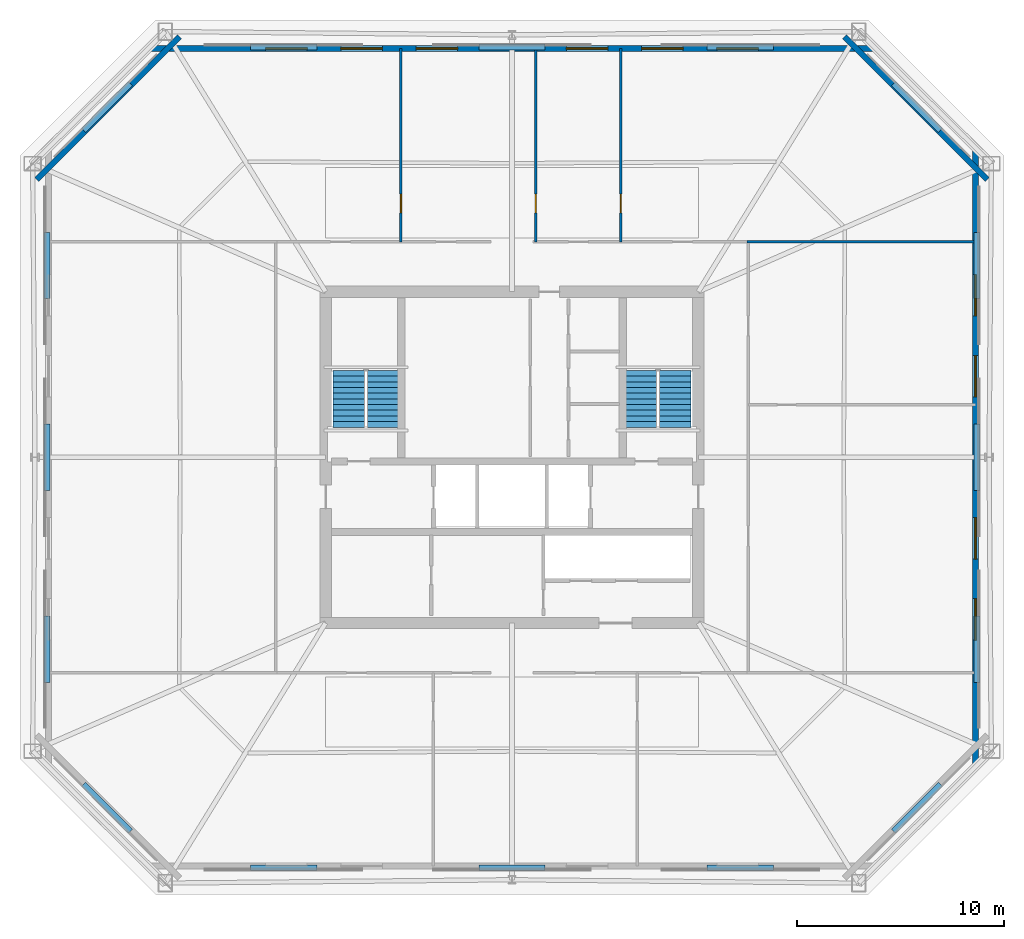
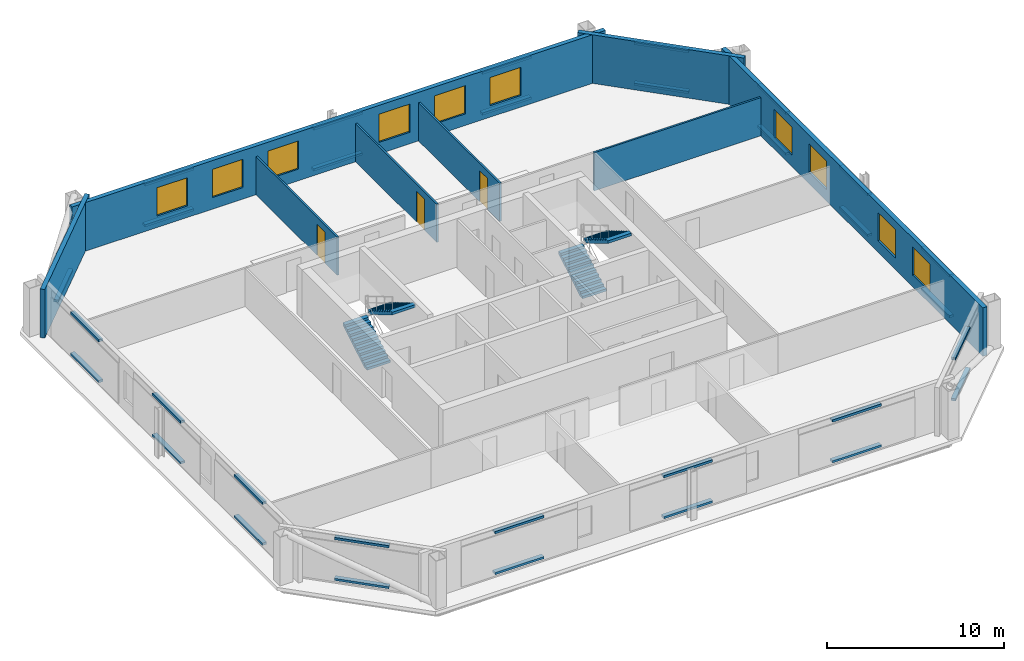
# One storey, part 4 of 6: 32 discrete accessories, 10 windows, 8 walls, 4 stair flights, 3 doors, 13 openings, 2 elements without a shape of their own.
"""IFC4 building model written with IfcOpenShell, lengths in metres."""

from ifc_helpers import new_model, si_unit, direction, frame, frame_2d, origin, origin_2d, place, context, subcontext, project, spatial, polyline, rectangle, outline, extrude, material, layer, layer_set, type_object, element, fill, aggregate, save


model = new_model("IFC4")

# Units and contexts
model_context = context("Model", 3, precision=1e-05, world=origin(), true_north=direction((0.0, 1.0)))
body_context = subcontext(model_context, "Body", "Model", "MODEL_VIEW")
ifc_project = project(units=[si_unit("LENGTHUNIT", "METRE"), si_unit("AREAUNIT", "SQUARE_METRE"), si_unit("VOLUMEUNIT", "CUBIC_METRE"), si_unit("PLANEANGLEUNIT", "RADIAN"), si_unit("MASSUNIT", "GRAM", prefix="KILO")], contexts=[model_context])

# Site, building, storey
site_placement = place(None, origin())
site = spatial("IfcSite", under=ifc_project, at=site_placement, CompositionType="ELEMENT")
building_placement = place(site_placement, origin())
building = spatial("IfcBuilding", under=site, at=building_placement, Name="Caelvoria Tower", CompositionType="ELEMENT")
storey_placement = place(building_placement, frame((0.0, 0.0, 180.60009765625)))
storey = spatial("IfcBuildingStorey", under=building, at=storey_placement, Name="L47", CompositionType="ELEMENT", Elevation=180.60009765625)

# Wall, openings, windows
ifc_material_1 = material(Name="Precast Concrete C40/50 with Bronze Cladding", Category="concrete")
ifc_layer_1 = layer(ifc_material_1, 0.280029296875, Name="Precast Concrete C40/50 with Bronze Cladding")
ifc_layer_set_1 = layer_set([ifc_layer_1], Name="Exterior Precast Concrete C40/50 Bronze-Clad Facade Wall 280 - Precast Concrete C40/50 with Bronze Cladding")
wall_type_1 = type_object("IfcWallType", Name="Exterior Precast Concrete C40/50 Bronze-Clad Facade Wall 280", PredefinedType="STANDARD", material=ifc_layer_set_1)
wall_1_placement = place(storey_placement, frame((68.3798828125, 17.199951171875, 0.0), z_axis=(0.0, 0.0, 1.0), x_axis=(0.0, 1.0, 0.0)))
wall_1 = element("IfcWall", 1, at=wall_1_placement, inside=storey, type_object=wall_type_1, Name="Exterior Facade Wall L47-E2", PredefinedType="STANDARD", context=body_context, shape_type="SweptSolid", body=[
    extrude(rectangle(XDim=29.60009765625, YDim=0.280029296875, at=frame_2d((14.800048828125, 0.0))), origin(), (0.0, 0.0, 1.0), 3.35986328125),
])
opening_1_placement = place(wall_1_placement, frame((5.971435546875, 0.0, 0.800048828125)))
opening_1 = element("IfcOpeningElement", 2, at=opening_1_placement, cuts=wall_1, Name="Opening WN-01", PredefinedType="OPENING", context=body_context, shape_type="SweptSolid", body=[
    extrude(rectangle(XDim=2.0, YDim=1.949951171875, at=frame_2d((1.0, 0.97509765625))), frame((0.0, 0.14990234375, 0.0), z_axis=(0.0, -1.0, 0.0), x_axis=(1.0, 0.0, 0.0)), (0.0, 0.0, 1.0), 0.300048828125),
])
opening_2_placement = place(wall_1_placement, frame((9.8857421875, 0.0, 0.800048828125)))
opening_2 = element("IfcOpeningElement", 3, at=opening_2_placement, cuts=wall_1, Name="Opening WN-01", PredefinedType="OPENING", context=body_context, shape_type="SweptSolid", body=[
    extrude(rectangle(XDim=2.0, YDim=1.949951171875, at=frame_2d((1.0, 0.97509765625))), frame((0.0, 0.14990234375, 0.0), z_axis=(0.0, -1.0, 0.0), x_axis=(1.0, 0.0, 0.0)), (0.0, 0.0, 1.0), 0.300048828125),
])
opening_3_placement = place(wall_1_placement, frame((17.71435546875, 0.0, 0.800048828125)))
opening_3 = element("IfcOpeningElement", 4, at=opening_3_placement, cuts=wall_1, Name="Opening WN-01", PredefinedType="OPENING", context=body_context, shape_type="SweptSolid", body=[
    extrude(rectangle(XDim=2.0, YDim=1.949951171875, at=frame_2d((1.0, 0.97509765625))), frame((0.0, 0.14990234375, 0.0), z_axis=(0.0, -1.0, 0.0), x_axis=(1.0, 0.0, 0.0)), (0.0, 0.0, 1.0), 0.300048828125),
])
opening_4_placement = place(wall_1_placement, frame((21.628662109375, 0.0, 0.800048828125)))
opening_4 = element("IfcOpeningElement", 5, at=opening_4_placement, cuts=wall_1, Name="Opening WN-01", PredefinedType="OPENING", context=body_context, shape_type="SweptSolid", body=[
    extrude(rectangle(XDim=2.0, YDim=1.949951171875, at=frame_2d((1.0, 0.97509765625))), frame((0.0, 0.14990234375, 0.0), z_axis=(0.0, -1.0, 0.0), x_axis=(1.0, 0.0, 0.0)), (0.0, 0.0, 1.0), 0.300048828125),
])
ifc_material_2 = material(Name="Low-E Tinted Glass in Bronze Aluminium Frame", Category="aluminium")
window_type = type_object("IfcWindowType", Name="Tower Office Vision Window 2000x1950", PartitioningType="SINGLE_PANEL", PredefinedType="WINDOW", material=ifc_material_2)
window_1_placement = place(opening_1_placement, origin())
window_1 = element("IfcWindow", 6, at=window_1_placement, inside=storey, type_object=window_type, Name="Facade Window L47-E2-01", OverallHeight=1.949951171875, OverallWidth=2.0, PartitioningType="SINGLE_PANEL", PredefinedType="WINDOW", context=body_context, shape_type="SweptSolid", body=[
    extrude(rectangle(XDim=2.0, YDim=1.949951171875, at=frame_2d((1.0, 0.97509765625))), frame((0.0, 0.030029296875, 0.0), z_axis=(0.0, -1.0, 0.0), x_axis=(1.0, 0.0, 0.0)), (0.0, 0.0, 1.0), 0.06005859375),
])
fill(opening_1, window_1)
window_2_placement = place(opening_2_placement, origin())
window_2 = element("IfcWindow", 7, at=window_2_placement, inside=storey, type_object=window_type, Name="Facade Window L47-E2-02", OverallHeight=1.949951171875, OverallWidth=2.0, PartitioningType="SINGLE_PANEL", PredefinedType="WINDOW", context=body_context, shape_type="SweptSolid", body=[
    extrude(rectangle(XDim=2.0, YDim=1.949951171875, at=frame_2d((1.0, 0.97509765625))), frame((0.0, 0.030029296875, 0.0), z_axis=(0.0, -1.0, 0.0), x_axis=(1.0, 0.0, 0.0)), (0.0, 0.0, 1.0), 0.06005859375),
])
fill(opening_2, window_2)
window_3_placement = place(opening_3_placement, origin())
window_3 = element("IfcWindow", 8, at=window_3_placement, inside=storey, type_object=window_type, Name="Facade Window L47-E2-04", OverallHeight=1.949951171875, OverallWidth=2.0, PartitioningType="SINGLE_PANEL", PredefinedType="WINDOW", context=body_context, shape_type="SweptSolid", body=[
    extrude(rectangle(XDim=2.0, YDim=1.949951171875, at=frame_2d((1.0, 0.97509765625))), frame((0.0, 0.030029296875, 0.0), z_axis=(0.0, -1.0, 0.0), x_axis=(1.0, 0.0, 0.0)), (0.0, 0.0, 1.0), 0.06005859375),
])
fill(opening_3, window_3)
window_4_placement = place(opening_4_placement, origin())
window_4 = element("IfcWindow", 9, at=window_4_placement, inside=storey, type_object=window_type, Name="Facade Window L47-E2-05", OverallHeight=1.949951171875, OverallWidth=2.0, PartitioningType="SINGLE_PANEL", PredefinedType="WINDOW", context=body_context, shape_type="SweptSolid", body=[
    extrude(rectangle(XDim=2.0, YDim=1.949951171875, at=frame_2d((1.0, 0.97509765625))), frame((0.0, 0.030029296875, 0.0), z_axis=(0.0, -1.0, 0.0), x_axis=(1.0, 0.0, 0.0)), (0.0, 0.0, 1.0), 0.06005859375),
])
fill(opening_4, window_4)

# Wall
wall_2_placement = place(storey_placement, frame((68.953857421875, 45.41455078125, 0.0), z_axis=(0.0, 0.0, 1.0), x_axis=(-0.707106781187, 0.707106781187, 0.0)))
element("IfcWall", 10, at=wall_2_placement, inside=storey, type_object=wall_type_1, Name="Exterior Facade Wall L47-E3", PredefinedType="STANDARD", context=body_context, shape_type="SweptSolid", body=[
    extrude(rectangle(XDim=9.75732421875, YDim=0.280029296875, at=frame_2d((4.878662109375, 0.0))), origin(), (0.0, 0.0, 1.0), 3.35986328125),
])

# Wall, openings, windows
wall_3_placement = place(storey_placement, frame((63.43994140625, 51.739990234375, 0.0), z_axis=(0.0, 0.0, 1.0), x_axis=(-1.0, 0.0, 0.0)))
wall_3 = element("IfcWall", 11, at=wall_3_placement, inside=storey, type_object=wall_type_1, Name="Exterior Facade Wall L47-E4", PredefinedType="STANDARD", context=body_context, shape_type="SweptSolid", body=[
    extrude(rectangle(XDim=34.8798828125, YDim=0.280029296875, at=frame_2d((17.43994140625, 0.0))), origin(), (0.0, 0.0, 1.0), 3.35986328125),
])
opening_5_placement = place(wall_3_placement, frame((5.546630859375, 0.0, 0.800048828125)))
opening_5 = element("IfcOpeningElement", 12, at=opening_5_placement, cuts=wall_3, Name="Opening WN-01", PredefinedType="OPENING", context=body_context, shape_type="SweptSolid", body=[
    extrude(rectangle(XDim=2.0, YDim=1.949951171875, at=frame_2d((1.0, 0.97509765625))), frame((0.0, 0.14990234375, 0.0), z_axis=(0.0, -1.0, 0.0), x_axis=(1.0, 0.0, 0.0)), (0.0, 0.0, 1.0), 0.300048828125),
])
opening_6_placement = place(wall_3_placement, frame((9.177734375, 0.0, 0.800048828125)))
opening_6 = element("IfcOpeningElement", 13, at=opening_6_placement, cuts=wall_3, Name="Opening WN-01", PredefinedType="OPENING", context=body_context, shape_type="SweptSolid", body=[
    extrude(rectangle(XDim=2.0, YDim=1.949951171875, at=frame_2d((1.0, 0.97509765625))), frame((0.0, 0.14990234375, 0.0), z_axis=(0.0, -1.0, 0.0), x_axis=(1.0, 0.0, 0.0)), (0.0, 0.0, 1.0), 0.300048828125),
])
opening_7_placement = place(wall_3_placement, frame((12.808837890625, 0.0, 0.800048828125)))
opening_7 = element("IfcOpeningElement", 14, at=opening_7_placement, cuts=wall_3, Name="Opening WN-01", PredefinedType="OPENING", context=body_context, shape_type="SweptSolid", body=[
    extrude(rectangle(XDim=2.0, YDim=1.949951171875, at=frame_2d((1.0, 0.97509765625))), frame((0.0, 0.14990234375, 0.0), z_axis=(0.0, -1.0, 0.0), x_axis=(1.0, 0.0, 0.0)), (0.0, 0.0, 1.0), 0.300048828125),
])
opening_8_placement = place(wall_3_placement, frame((20.071044921875, 0.0, 0.800048828125)))
opening_8 = element("IfcOpeningElement", 15, at=opening_8_placement, cuts=wall_3, Name="Opening WN-01", PredefinedType="OPENING", context=body_context, shape_type="SweptSolid", body=[
    extrude(rectangle(XDim=2.0, YDim=1.949951171875, at=frame_2d((1.0, 0.97509765625))), frame((0.0, 0.14990234375, 0.0), z_axis=(0.0, -1.0, 0.0), x_axis=(1.0, 0.0, 0.0)), (0.0, 0.0, 1.0), 0.300048828125),
])
opening_9_placement = place(wall_3_placement, frame((23.7021484375, 0.0, 0.800048828125)))
opening_9 = element("IfcOpeningElement", 16, at=opening_9_placement, cuts=wall_3, Name="Opening WN-01", PredefinedType="OPENING", context=body_context, shape_type="SweptSolid", body=[
    extrude(rectangle(XDim=2.0, YDim=1.949951171875, at=frame_2d((1.0, 0.97509765625))), frame((0.0, 0.14990234375, 0.0), z_axis=(0.0, -1.0, 0.0), x_axis=(1.0, 0.0, 0.0)), (0.0, 0.0, 1.0), 0.300048828125),
])
opening_10_placement = place(wall_3_placement, frame((27.333251953125, 0.0, 0.800048828125)))
opening_10 = element("IfcOpeningElement", 17, at=opening_10_placement, cuts=wall_3, Name="Opening WN-01", PredefinedType="OPENING", context=body_context, shape_type="SweptSolid", body=[
    extrude(rectangle(XDim=2.0, YDim=1.949951171875, at=frame_2d((1.0, 0.97509765625))), frame((0.0, 0.14990234375, 0.0), z_axis=(0.0, -1.0, 0.0), x_axis=(1.0, 0.0, 0.0)), (0.0, 0.0, 1.0), 0.300048828125),
])
window_5_placement = place(opening_5_placement, origin())
window_5 = element("IfcWindow", 18, at=window_5_placement, inside=storey, type_object=window_type, Name="Facade Window L47-E4-01", OverallHeight=1.949951171875, OverallWidth=2.0, PartitioningType="SINGLE_PANEL", PredefinedType="WINDOW", context=body_context, shape_type="SweptSolid", body=[
    extrude(rectangle(XDim=2.0, YDim=1.949951171875, at=frame_2d((1.0, 0.97509765625))), frame((0.0, 0.030029296875, 0.0), z_axis=(0.0, -1.0, 0.0), x_axis=(1.0, 0.0, 0.0)), (0.0, 0.0, 1.0), 0.06005859375),
])
fill(opening_5, window_5)
window_6_placement = place(opening_6_placement, origin())
window_6 = element("IfcWindow", 19, at=window_6_placement, inside=storey, type_object=window_type, Name="Facade Window L47-E4-02", OverallHeight=1.949951171875, OverallWidth=2.0, PartitioningType="SINGLE_PANEL", PredefinedType="WINDOW", context=body_context, shape_type="SweptSolid", body=[
    extrude(rectangle(XDim=2.0, YDim=1.949951171875, at=frame_2d((1.0, 0.97509765625))), frame((0.0, 0.030029296875, 0.0), z_axis=(0.0, -1.0, 0.0), x_axis=(1.0, 0.0, 0.0)), (0.0, 0.0, 1.0), 0.06005859375),
])
fill(opening_6, window_6)
window_7_placement = place(opening_7_placement, origin())
window_7 = element("IfcWindow", 20, at=window_7_placement, inside=storey, type_object=window_type, Name="Facade Window L47-E4-03", OverallHeight=1.949951171875, OverallWidth=2.0, PartitioningType="SINGLE_PANEL", PredefinedType="WINDOW", context=body_context, shape_type="SweptSolid", body=[
    extrude(rectangle(XDim=2.0, YDim=1.949951171875, at=frame_2d((1.0, 0.97509765625))), frame((0.0, 0.030029296875, 0.0), z_axis=(0.0, -1.0, 0.0), x_axis=(1.0, 0.0, 0.0)), (0.0, 0.0, 1.0), 0.06005859375),
])
fill(opening_7, window_7)
window_8_placement = place(opening_8_placement, origin())
window_8 = element("IfcWindow", 21, at=window_8_placement, inside=storey, type_object=window_type, Name="Facade Window L47-E4-05", OverallHeight=1.949951171875, OverallWidth=2.0, PartitioningType="SINGLE_PANEL", PredefinedType="WINDOW", context=body_context, shape_type="SweptSolid", body=[
    extrude(rectangle(XDim=2.0, YDim=1.949951171875, at=frame_2d((1.0, 0.97509765625))), frame((0.0, 0.030029296875, 0.0), z_axis=(0.0, -1.0, 0.0), x_axis=(1.0, 0.0, 0.0)), (0.0, 0.0, 1.0), 0.06005859375),
])
fill(opening_8, window_8)
window_9_placement = place(opening_9_placement, origin())
window_9 = element("IfcWindow", 22, at=window_9_placement, inside=storey, type_object=window_type, Name="Facade Window L47-E4-06", OverallHeight=1.949951171875, OverallWidth=2.0, PartitioningType="SINGLE_PANEL", PredefinedType="WINDOW", context=body_context, shape_type="SweptSolid", body=[
    extrude(rectangle(XDim=2.0, YDim=1.949951171875, at=frame_2d((1.0, 0.97509765625))), frame((0.0, 0.030029296875, 0.0), z_axis=(0.0, -1.0, 0.0), x_axis=(1.0, 0.0, 0.0)), (0.0, 0.0, 1.0), 0.06005859375),
])
fill(opening_9, window_9)
window_10_placement = place(opening_10_placement, origin())
window_10 = element("IfcWindow", 23, at=window_10_placement, inside=storey, type_object=window_type, Name="Facade Window L47-E4-07", OverallHeight=1.949951171875, OverallWidth=2.0, PartitioningType="SINGLE_PANEL", PredefinedType="WINDOW", context=body_context, shape_type="SweptSolid", body=[
    extrude(rectangle(XDim=2.0, YDim=1.949951171875, at=frame_2d((1.0, 0.97509765625))), frame((0.0, 0.030029296875, 0.0), z_axis=(0.0, -1.0, 0.0), x_axis=(1.0, 0.0, 0.0)), (0.0, 0.0, 1.0), 0.06005859375),
])
fill(opening_10, window_10)

# Wall
wall_4_placement = place(storey_placement, frame((29.945556640625, 52.31396484375, 0.0), z_axis=(0.0, 0.0, 1.0), x_axis=(-0.707106781187, -0.707106781187, 0.0)))
element("IfcWall", 24, at=wall_4_placement, inside=storey, type_object=wall_type_1, Name="Exterior Facade Wall L47-E5", PredefinedType="STANDARD", context=body_context, shape_type="SweptSolid", body=[
    extrude(rectangle(XDim=9.75732421875, YDim=0.280029296875, at=frame_2d((4.878662109375, 0.0))), origin(), (0.0, 0.0, 1.0), 3.35986328125),
])

# Wall, opening, door
ifc_material_3 = material(Name="Acoustic Gypsum Board on Light-Gauge Stud", Category="gypsum")
ifc_layer_2 = layer(ifc_material_3, 0.1201171875, Name="Acoustic Gypsum Board on Light-Gauge Stud")
ifc_layer_set_2 = layer_set([ifc_layer_2], Name="Tenant Suite Acoustic Partition Wall 120 - Acoustic Gypsum Board on Light-Gauge Stud")
wall_type_2 = type_object("IfcWallType", Name="Tenant Suite Acoustic Partition Wall 120", PredefinedType="PARTITIONING", material=ifc_layer_set_2)
wall_5_placement = place(storey_placement, frame((40.638916015625, 42.409912109375, 0.0), z_axis=(0.0, 0.0, 1.0), x_axis=(0.0, 1.0, 0.0)))
wall_5 = element("IfcWall", 25, at=wall_5_placement, inside=storey, type_object=wall_type_2, Name="Interior Partition IW-L47-ND-00-0", PredefinedType="PARTITIONING", context=body_context, shape_type="SweptSolid", body=[
    extrude(rectangle(XDim=9.330078125, YDim=0.1201171875, at=frame_2d((4.6650390625, 0.0))), origin(), (0.0, 0.0, 1.0), 2.639892578125),
])
opening_11_placement = place(wall_5_placement, frame((1.39990234375, 0.0, 0.0)))
opening_11 = element("IfcOpeningElement", 26, at=opening_11_placement, cuts=wall_5, Name="Opening ID-06", PredefinedType="OPENING", context=body_context, shape_type="SweptSolid", body=[
    extrude(rectangle(XDim=0.89990234375, YDim=2.14990234375, at=frame_2d((0.449951171875, 1.074951171875))), frame((0.0, 0.070068359375, 0.0), z_axis=(0.0, -1.0, 0.0), x_axis=(1.0, 0.0, 0.0)), (0.0, 0.0, 1.0), 0.14013671875),
])
ifc_material_4 = material(Name="Engineered Andean Oak Veneer Door", Category="wood")
door_type = type_object("IfcDoorType", Name="Interior Timber Door 900x2150", OperationType="NOTDEFINED", PredefinedType="DOOR", material=ifc_material_4)
door_1_placement = place(opening_11_placement, origin())
door_1 = element("IfcDoor", 27, at=door_1_placement, inside=storey, type_object=door_type, Name="Interior Door DR-L47-NM-00-0", OperationType="SINGLE_SWING_RIGHT", OverallHeight=2.14990234375, OverallWidth=0.89990234375, PredefinedType="DOOR", context=body_context, shape_type="SweptSolid", body=[
    extrude(rectangle(XDim=0.89990234375, YDim=2.14990234375, at=frame_2d((0.449951171875, 1.074951171875))), frame((0.0, 0.02490234375, 0.0), z_axis=(0.0, -1.0, 0.0), x_axis=(1.0, 0.0, 0.0)), (0.0, 0.0, 1.0), 0.050048828125),
])
fill(opening_11, door_1)

wall_6_placement = place(storey_placement, frame((47.147705078125, 42.409912109375, 0.0), z_axis=(0.0, 0.0, 1.0), x_axis=(0.0, 1.0, 0.0)))
wall_6 = element("IfcWall", 28, at=wall_6_placement, inside=storey, type_object=wall_type_2, Name="Interior Partition IW-L47-ND-01-0", PredefinedType="PARTITIONING", context=body_context, shape_type="SweptSolid", body=[
    extrude(rectangle(XDim=9.330078125, YDim=0.1201171875, at=frame_2d((4.6650390625, 0.0))), origin(), (0.0, 0.0, 1.0), 2.639892578125),
])
opening_12_placement = place(wall_6_placement, frame((1.39990234375, 0.0, 0.0)))
opening_12 = element("IfcOpeningElement", 29, at=opening_12_placement, cuts=wall_6, Name="Opening ID-06", PredefinedType="OPENING", context=body_context, shape_type="SweptSolid", body=[
    extrude(rectangle(XDim=0.89990234375, YDim=2.14990234375, at=frame_2d((0.449951171875, 1.074951171875))), frame((0.0, 0.070068359375, 0.0), z_axis=(0.0, -1.0, 0.0), x_axis=(1.0, 0.0, 0.0)), (0.0, 0.0, 1.0), 0.14013671875),
])
door_2_placement = place(opening_12_placement, origin())
door_2 = element("IfcDoor", 30, at=door_2_placement, inside=storey, type_object=door_type, Name="Interior Door DR-L47-NM-01-0", OperationType="SINGLE_SWING_LEFT", OverallHeight=2.14990234375, OverallWidth=0.89990234375, PredefinedType="DOOR", context=body_context, shape_type="SweptSolid", body=[
    extrude(rectangle(XDim=0.89990234375, YDim=2.14990234375, at=frame_2d((0.449951171875, 1.074951171875))), frame((0.0, 0.02490234375, 0.0), z_axis=(0.0, -1.0, 0.0), x_axis=(1.0, 0.0, 0.0)), (0.0, 0.0, 1.0), 0.050048828125),
])
fill(opening_12, door_2)

wall_7_placement = place(storey_placement, frame((51.2607421875, 42.409912109375, 0.0), z_axis=(0.0, 0.0, 1.0), x_axis=(0.0, 1.0, 0.0)))
wall_7 = element("IfcWall", 31, at=wall_7_placement, inside=storey, type_object=wall_type_2, Name="Interior Partition IW-L47-ND-02-0", PredefinedType="PARTITIONING", context=body_context, shape_type="SweptSolid", body=[
    extrude(rectangle(XDim=9.330078125, YDim=0.1201171875, at=frame_2d((4.6650390625, 0.0))), origin(), (0.0, 0.0, 1.0), 2.639892578125),
])
opening_13_placement = place(wall_7_placement, frame((1.39990234375, 0.0, 0.0)))
opening_13 = element("IfcOpeningElement", 32, at=opening_13_placement, cuts=wall_7, Name="Opening ID-06", PredefinedType="OPENING", context=body_context, shape_type="SweptSolid", body=[
    extrude(rectangle(XDim=0.89990234375, YDim=2.14990234375, at=frame_2d((0.449951171875, 1.074951171875))), frame((0.0, 0.070068359375, 0.0), z_axis=(0.0, -1.0, 0.0), x_axis=(1.0, 0.0, 0.0)), (0.0, 0.0, 1.0), 0.14013671875),
])
door_3_placement = place(opening_13_placement, origin())
door_3 = element("IfcDoor", 33, at=door_3_placement, inside=storey, type_object=door_type, Name="Interior Door DR-L47-NM-02-0", OperationType="SINGLE_SWING_RIGHT", OverallHeight=2.14990234375, OverallWidth=0.89990234375, PredefinedType="DOOR", context=body_context, shape_type="SweptSolid", body=[
    extrude(rectangle(XDim=0.89990234375, YDim=2.14990234375, at=frame_2d((0.449951171875, 1.074951171875))), frame((0.0, 0.02490234375, 0.0), z_axis=(0.0, -1.0, 0.0), x_axis=(1.0, 0.0, 0.0)), (0.0, 0.0, 1.0), 0.050048828125),
])
fill(opening_13, door_3)

# Wall
wall_8_placement = place(storey_placement, frame((57.35009765625, 42.409912109375, 0.0), z_axis=(0.0, 0.0, 1.0), x_axis=(1.0, 0.0, 0.0)))
element("IfcWall", 34, at=wall_8_placement, inside=storey, type_object=wall_type_2, Name="Interior Partition IW-L47-BNE-0", PredefinedType="PARTITIONING", context=body_context, shape_type="SweptSolid", body=[
    extrude(rectangle(XDim=11.02978515625, YDim=0.1201171875, at=frame_2d((5.514892578125, 0.0))), origin(), (0.0, 0.0, 1.0), 2.639892578125),
])

# Stair, stair flights
ifc_material_5 = material(Name="Concrete C40/50", Category="concrete")
stair_type = type_object("IfcStairType", Name="Core Smokeproof Dogleg Stair Concrete C40/50", PredefinedType="HALF_TURN_STAIR", material=ifc_material_5)
stair_1_placement = place(storey_placement, origin())
stair_1 = element("IfcStair", 35, at=stair_1_placement, inside=storey, type_object=stair_type, Name="ST-01 Smokeproof Exit Stair L47", PredefinedType="HALF_TURN_STAIR")
ifc_material_6 = material(Name="Precast Concrete C40/50", Category="concrete")
stair_flight_type = type_object("IfcStairFlightType", Name="Precast Concrete C40/50 Stair Flight 1480", PredefinedType="STRAIGHT", material=ifc_material_6)
stair_flight_1_placement = place(storey_placement, frame((38.1298828125, 33.449951171875, 0.0), z_axis=(0.0, 0.0, 1.0), x_axis=(0.0, 1.0, 0.0)))
stair_flight_1 = element("IfcStairFlight", 36, at=stair_flight_1_placement, type_object=stair_flight_type, Name="ST-01 flight 1", NumberOfRisers=11, NumberOfTreads=10, PredefinedType="STRAIGHT", RiserHeight=0.1636, TreadLength=0.275, context=body_context, shape_type="SweptSolid", body=[
    extrude(outline(polyline([(0.0, 0.0), (0.0, 0.16357421875), (0.27490234375, 0.16357421875), (0.27490234375, 0.3271484375), (0.550048828125, 0.3271484375), (0.550048828125, 0.49072265625), (0.824951171875, 0.49072265625), (0.824951171875, 0.654296875), (1.10009765625, 0.654296875), (1.10009765625, 0.818115234375), (1.375, 0.818115234375), (1.375, 0.981689453125), (1.64990234375, 0.981689453125), (1.64990234375, 1.145263671875), (1.925048828125, 1.145263671875), (1.925048828125, 1.308837890625), (2.199951171875, 1.308837890625), (2.199951171875, 1.472412109375), (2.47509765625, 1.472412109375), (2.47509765625, 1.635986328125), (2.75, 1.635986328125), (2.75, 1.799560546875), (2.75, 1.449951171875), (0.312744140625, 0.0), (0.0, 0.0)])), frame((0.0, 0.77001953125, 0.0), z_axis=(0.0, -1.0, 0.0), x_axis=(1.0, 0.0, 0.0)), (0.0, 0.0, 1.0), 1.5400390625),
])
stair_flight_2_placement = place(storey_placement, frame((39.77001953125, 36.199951171875, 1.7998046875), z_axis=(0.0, 0.0, 1.0), x_axis=(0.0, -1.0, 0.0)))
stair_flight_2 = element("IfcStairFlight", 37, at=stair_flight_2_placement, type_object=stair_flight_type, Name="ST-01 flight 2", NumberOfRisers=11, NumberOfTreads=10, PredefinedType="STRAIGHT", RiserHeight=0.1636, TreadLength=0.275, context=body_context, shape_type="SweptSolid", body=[
    extrude(outline(polyline([(0.0, 0.0), (0.0, 0.16357421875), (0.27490234375, 0.16357421875), (0.27490234375, 0.3271484375), (0.550048828125, 0.3271484375), (0.550048828125, 0.49072265625), (0.824951171875, 0.49072265625), (0.824951171875, 0.654296875), (1.10009765625, 0.654296875), (1.10009765625, 0.818115234375), (1.375, 0.818115234375), (1.375, 0.981689453125), (1.64990234375, 0.981689453125), (1.64990234375, 1.145263671875), (1.925048828125, 1.145263671875), (1.925048828125, 1.308837890625), (2.199951171875, 1.308837890625), (2.199951171875, 1.472412109375), (2.47509765625, 1.472412109375), (2.47509765625, 1.635986328125), (2.75, 1.635986328125), (2.75, 1.799560546875), (2.75, 1.449951171875), (0.312744140625, 0.0), (0.0, 0.0)])), frame((0.0, 0.77001953125, 0.0), z_axis=(0.0, -1.0, 0.0), x_axis=(1.0, 0.0, 0.0)), (0.0, 0.0, 1.0), 1.5400390625),
])
aggregate(stair_1, [stair_flight_1, stair_flight_2])

stair_2_placement = place(storey_placement, origin())
stair_2 = element("IfcStair", 38, at=stair_2_placement, inside=storey, type_object=stair_type, Name="ST-02 Smokeproof Exit Stair L47", PredefinedType="HALF_TURN_STAIR")
stair_flight_3_placement = place(storey_placement, frame((52.22998046875, 33.449951171875, 0.0), z_axis=(0.0, 0.0, 1.0), x_axis=(0.0, 1.0, 0.0)))
stair_flight_3 = element("IfcStairFlight", 39, at=stair_flight_3_placement, type_object=stair_flight_type, Name="ST-02 flight 1", NumberOfRisers=11, NumberOfTreads=10, PredefinedType="STRAIGHT", RiserHeight=0.1636, TreadLength=0.275, context=body_context, shape_type="SweptSolid", body=[
    extrude(outline(polyline([(0.0, 0.0), (0.0, 0.16357421875), (0.27490234375, 0.16357421875), (0.27490234375, 0.3271484375), (0.550048828125, 0.3271484375), (0.550048828125, 0.49072265625), (0.824951171875, 0.49072265625), (0.824951171875, 0.654296875), (1.10009765625, 0.654296875), (1.10009765625, 0.818115234375), (1.375, 0.818115234375), (1.375, 0.981689453125), (1.64990234375, 0.981689453125), (1.64990234375, 1.145263671875), (1.925048828125, 1.145263671875), (1.925048828125, 1.308837890625), (2.199951171875, 1.308837890625), (2.199951171875, 1.472412109375), (2.47509765625, 1.472412109375), (2.47509765625, 1.635986328125), (2.75, 1.635986328125), (2.75, 1.799560546875), (2.75, 1.449951171875), (0.312744140625, 0.0), (0.0, 0.0)])), frame((0.0, 0.77001953125, 0.0), z_axis=(0.0, -1.0, 0.0), x_axis=(1.0, 0.0, 0.0)), (0.0, 0.0, 1.0), 1.5400390625),
])
stair_flight_4_placement = place(storey_placement, frame((53.8701171875, 36.199951171875, 1.7998046875), z_axis=(0.0, 0.0, 1.0), x_axis=(0.0, -1.0, 0.0)))
stair_flight_4 = element("IfcStairFlight", 40, at=stair_flight_4_placement, type_object=stair_flight_type, Name="ST-02 flight 2", NumberOfRisers=11, NumberOfTreads=10, PredefinedType="STRAIGHT", RiserHeight=0.1636, TreadLength=0.275, context=body_context, shape_type="SweptSolid", body=[
    extrude(outline(polyline([(0.0, 0.0), (0.0, 0.16357421875), (0.27490234375, 0.16357421875), (0.27490234375, 0.3271484375), (0.550048828125, 0.3271484375), (0.550048828125, 0.49072265625), (0.824951171875, 0.49072265625), (0.824951171875, 0.654296875), (1.10009765625, 0.654296875), (1.10009765625, 0.818115234375), (1.375, 0.818115234375), (1.375, 0.981689453125), (1.64990234375, 0.981689453125), (1.64990234375, 1.145263671875), (1.925048828125, 1.145263671875), (1.925048828125, 1.308837890625), (2.199951171875, 1.308837890625), (2.199951171875, 1.472412109375), (2.47509765625, 1.472412109375), (2.47509765625, 1.635986328125), (2.75, 1.635986328125), (2.75, 1.799560546875), (2.75, 1.449951171875), (0.312744140625, 0.0), (0.0, 0.0)])), frame((0.0, 0.77001953125, 0.0), z_axis=(0.0, -1.0, 0.0), x_axis=(1.0, 0.0, 0.0)), (0.0, 0.0, 1.0), 1.5400390625),
])
aggregate(stair_2, [stair_flight_3, stair_flight_4])

# Discrete accessories
ifc_material_7 = material(Name="Anodised Bronze Stainless Bracket", Category="bronze")
discrete_accessory_type = type_object("IfcDiscreteAccessoryType", Name="Solar Screen Outrigger Support Bracket", PredefinedType="BRACKET", material=ifc_material_7)
for number, where, z_axis, x_axis, name in (
    (41, (34.973388671875, 12.18310546875, 0.23974609375), (0.0, 0.0, 1.0), (1.0, 0.0, 0.0), "Solar Screen Bracket L47-E0-00"),
    (42, (34.973388671875, 12.18310546875, 3.06005859375), (0.0, 0.0, 1.0), (1.0, 0.0, 0.0), "Upper Screen Band Bracket L47-E0-00"),
    (43, (46.0, 12.18310546875, 0.23974609375), (0.0, 0.0, 1.0), (1.0, 0.0, 0.0), "Solar Screen Bracket L47-E0-01"),
    (44, (46.0, 12.18310546875, 3.06005859375), (0.0, 0.0, 1.0), (1.0, 0.0, 0.0), "Upper Screen Band Bracket L47-E0-01"),
    (45, (57.026611328125, 12.18310546875, 0.23974609375), (0.0, 0.0, 1.0), (1.0, 0.0, 0.0), "Solar Screen Bracket L47-E0-02"),
    (46, (57.026611328125, 12.18310546875, 3.06005859375), (0.0, 0.0, 1.0), (1.0, 0.0, 0.0), "Upper Screen Band Bracket L47-E0-02"),
    (47, (65.55859375, 15.081298828125, 0.23974609375), (0.0, 0.0, 1.0), (0.707106781187, 0.707106781187, 0.0), "Solar Screen Bracket L47-E1-00"),
    (48, (65.55859375, 15.081298828125, 3.06005859375), (0.0, 0.0, 1.0), (0.707106781187, 0.707106781187, 0.0), "Upper Screen Band Bracket L47-E1-00"),
    (49, (68.45703125, 22.7333984375, 0.23974609375), (0.0, 0.0, 1.0), (0.0, 1.0, 0.0), "Solar Screen Bracket L47-E2-00"),
    (50, (68.45703125, 22.7333984375, 3.06005859375), (0.0, 0.0, 1.0), (0.0, 1.0, 0.0), "Upper Screen Band Bracket L47-E2-00"),
    (51, (68.45703125, 32.0, 0.23974609375), (0.0, 0.0, 1.0), (0.0, 1.0, 0.0), "Solar Screen Bracket L47-E2-01"),
    (52, (68.45703125, 32.0, 3.06005859375), (0.0, 0.0, 1.0), (0.0, 1.0, 0.0), "Upper Screen Band Bracket L47-E2-01"),
    (53, (68.45703125, 41.2666015625, 0.23974609375), (0.0, 0.0, 1.0), (0.0, 1.0, 0.0), "Solar Screen Bracket L47-E2-02"),
    (54, (68.45703125, 41.2666015625, 3.06005859375), (0.0, 0.0, 1.0), (0.0, 1.0, 0.0), "Upper Screen Band Bracket L47-E2-02"),
    (55, (65.55859375, 48.918701171875, 0.23974609375), (0.0, 0.0, 1.0), (-0.707106781187, 0.707106781187, 0.0), "Solar Screen Bracket L47-E3-00"),
    (56, (65.55859375, 48.918701171875, 3.06005859375), (0.0, 0.0, 1.0), (-0.707106781187, 0.707106781187, 0.0), "Upper Screen Band Bracket L47-E3-00"),
    (57, (57.026611328125, 51.81689453125, 0.23974609375), (0.0, 0.0, 1.0), (-1.0, 0.0, 0.0), "Solar Screen Bracket L47-E4-00"),
    (58, (57.026611328125, 51.81689453125, 3.06005859375), (0.0, 0.0, 1.0), (-1.0, 0.0, 0.0), "Upper Screen Band Bracket L47-E4-00"),
    (59, (46.0, 51.81689453125, 0.23974609375), (0.0, 0.0, 1.0), (-1.0, 0.0, 0.0), "Solar Screen Bracket L47-E4-01"),
    (60, (46.0, 51.81689453125, 3.06005859375), (0.0, 0.0, 1.0), (-1.0, 0.0, 0.0), "Upper Screen Band Bracket L47-E4-01"),
    (61, (34.973388671875, 51.81689453125, 0.23974609375), (0.0, 0.0, 1.0), (-1.0, 0.0, 0.0), "Solar Screen Bracket L47-E4-02"),
    (62, (34.973388671875, 51.81689453125, 3.06005859375), (0.0, 0.0, 1.0), (-1.0, 0.0, 0.0), "Upper Screen Band Bracket L47-E4-02"),
    (63, (26.44140625, 48.918701171875, 0.23974609375), (0.0, 0.0, 1.0), (-0.707106781187, -0.707106781187, 0.0), "Solar Screen Bracket L47-E5-00"),
    (64, (26.44140625, 48.918701171875, 3.06005859375), (0.0, 0.0, 1.0), (-0.707106781187, -0.707106781187, 0.0), "Upper Screen Band Bracket L47-E5-00"),
    (65, (23.54296875, 41.2666015625, 0.23974609375), (0.0, 0.0, 1.0), (0.0, -1.0, 0.0), "Solar Screen Bracket L47-E6-00"),
    (66, (23.54296875, 41.2666015625, 3.06005859375), (0.0, 0.0, 1.0), (0.0, -1.0, 0.0), "Upper Screen Band Bracket L47-E6-00"),
    (67, (23.54296875, 32.0, 0.23974609375), (0.0, 0.0, 1.0), (0.0, -1.0, 0.0), "Solar Screen Bracket L47-E6-01"),
    (68, (23.54296875, 32.0, 3.06005859375), (0.0, 0.0, 1.0), (0.0, -1.0, 0.0), "Upper Screen Band Bracket L47-E6-01"),
    (69, (23.54296875, 22.7333984375, 0.23974609375), (0.0, 0.0, 1.0), (0.0, -1.0, 0.0), "Solar Screen Bracket L47-E6-02"),
    (70, (23.54296875, 22.7333984375, 3.06005859375), (0.0, 0.0, 1.0), (0.0, -1.0, 0.0), "Upper Screen Band Bracket L47-E6-02"),
    (71, (26.44140625, 15.081298828125, 0.23974609375), (0.0, 0.0, 1.0), (0.707106781187, -0.707106781187, 0.0), "Solar Screen Bracket L47-E7-00"),
    (72, (26.44140625, 15.081298828125, 3.06005859375), (0.0, 0.0, 1.0), (0.707106781187, -0.707106781187, 0.0), "Upper Screen Band Bracket L47-E7-00"),
):
    element("IfcDiscreteAccessory", number, at=place(storey_placement, frame(where, z_axis=z_axis, x_axis=x_axis)), inside=storey, type_object=discrete_accessory_type, Name=name, PredefinedType="BRACKET", context=body_context, shape_type="SweptSolid", body=[
        extrude(rectangle(XDim=3.199951171875, YDim=0.280029296875, at=origin_2d()), origin(), (0.0, 0.0, 1.0), 0.159912109375),
    ])

save(model, "model.ifc")
